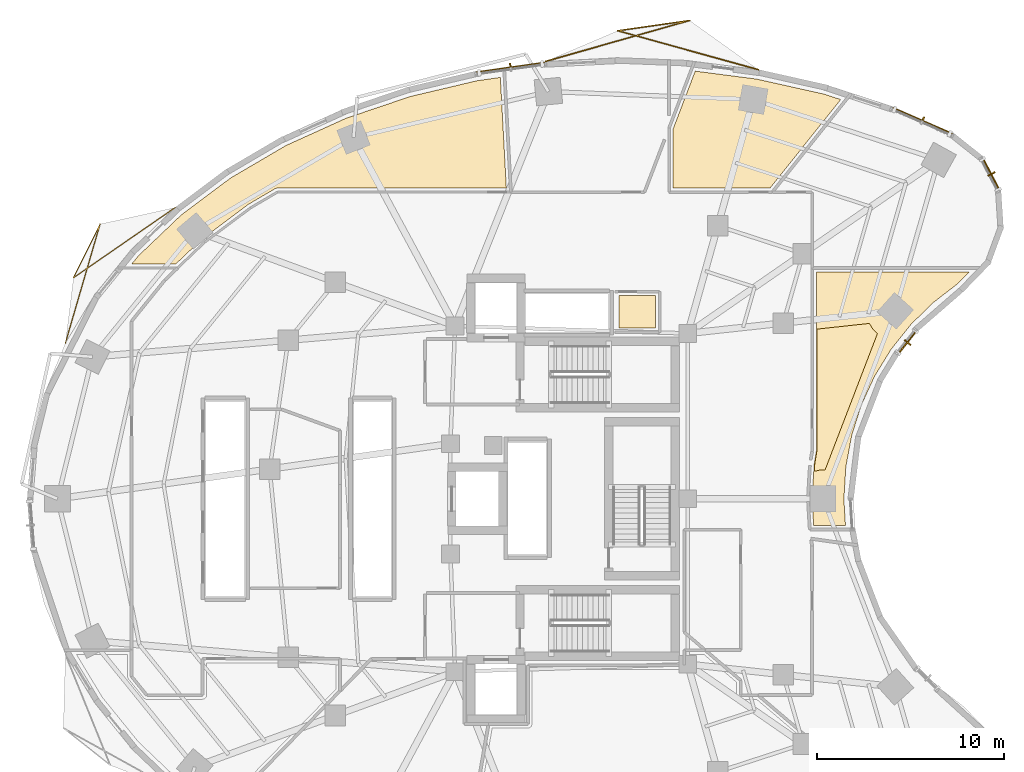
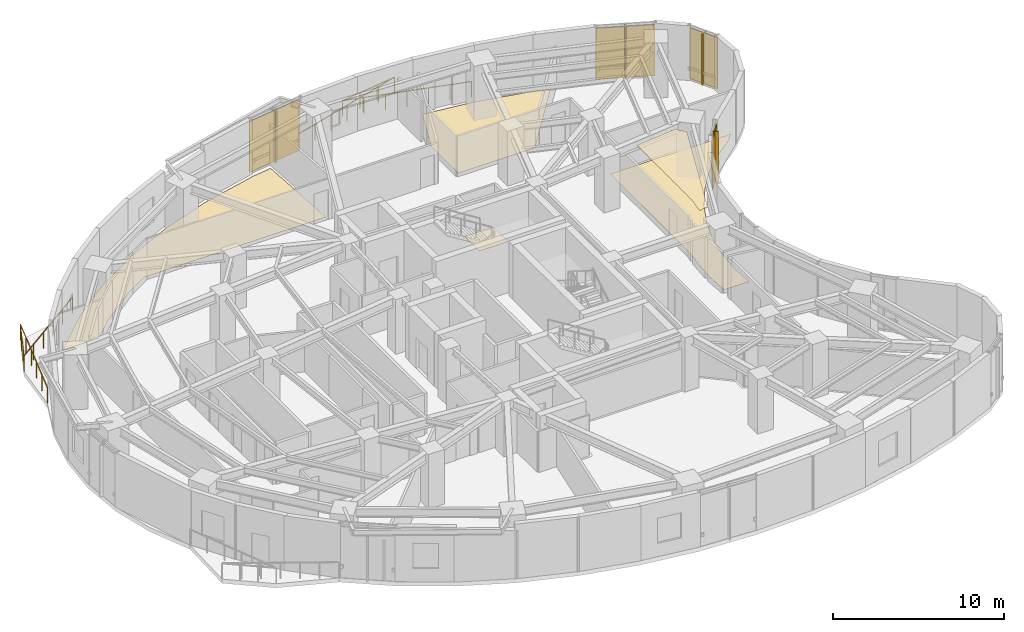
# One storey, part 14 of 14: 8 shading devices, 5 coverings, 2 railings.
"""IFC4 building model written with IfcOpenShell, lengths in metres."""

from ifc_helpers import new_model, si_unit, direction, frame, origin, origin_2d, place, context, subcontext, project, spatial, polyline, rectangle, outline, extrude, material, layer, layer_set, type_object, element, save


model = new_model("IFC4")

# Units and contexts
model_context = context("Model", 3, precision=1e-05, world=origin(), true_north=direction((0.0, 1.0)))
body_context = subcontext(model_context, "Body", "Model", "MODEL_VIEW")
ifc_project = project(units=[si_unit("LENGTHUNIT", "METRE"), si_unit("AREAUNIT", "SQUARE_METRE"), si_unit("VOLUMEUNIT", "CUBIC_METRE"), si_unit("PLANEANGLEUNIT", "RADIAN"), si_unit("MASSUNIT", "GRAM", prefix="KILO")], contexts=[model_context])

# Site, building, storey
site_placement = place(None, origin())
site = spatial("IfcSite", under=ifc_project, at=site_placement, CompositionType="ELEMENT")
building_placement = place(site_placement, origin())
building = spatial("IfcBuilding", under=site, at=building_placement, Name="Korentha Bioscience Tower", CompositionType="ELEMENT")
storey_placement = place(building_placement, frame((0.0, 0.0, 46.800048828125)))
storey = spatial("IfcBuildingStorey", under=building, at=storey_placement, Name="L10", CompositionType="ELEMENT", Elevation=46.800048828125)

# Covering
ifc_material_1 = material(Name="Vitrified Porcelain Tile", Category="ceramic")
ifc_layer_1 = layer(ifc_material_1, 0.014892578125, Name="Vitrified Porcelain Tile")
ifc_layer_set_1 = layer_set([ifc_layer_1], Name="Vitrified Porcelain Tile (FL-CER)")
covering_type_1 = type_object("IfcCoveringType", Name="Anti-Slip Ceramic Wet-Room Tile Flooring 15", PredefinedType="FLOORING", material=ifc_layer_set_1)
covering_1_placement = place(storey_placement, origin())
element("IfcCovering", 1, at=covering_1_placement, inside=storey, type_object=covering_type_1, Name="L10 Accessible Staff WC Floor Finish", PredefinedType="FLOORING", context=body_context, shape_type="SweptSolid", body=[
    extrude(outline(polyline([(33.8701171875, 36.1298828125), (33.8701171875, 37.8701171875), (35.830078125, 37.8701171875), (35.830078125, 36.1298828125), (33.8701171875, 36.1298828125)])), origin(), (0.0, 0.0, 1.0), 0.014892578125),
])

# Railings
ifc_material_2 = material(Name="Laminated Tempered Safety Glass", Category="glass")
railing_type = type_object("IfcRailingType", Name="Laminated Glass Balcony Guardrail 1150", PredefinedType="BALUSTRADE", material=ifc_material_2)
railing_1_placement = place(storey_placement, frame((41.33349609375, 49.9638671875, 0.0)))
element("IfcRailing", 2, at=railing_1_placement, inside=storey, type_object=railing_type, Name="L10 Balcony Guardrail 01", PredefinedType="BALUSTRADE", context=body_context, shape_type="SweptSolid", body=[
    extrude(rectangle(XDim=0.048095703125, YDim=0.048095703125, at=origin_2d()), frame((0.0, 0.0, 1.1259765625), z_axis=(-0.963705393493, 0.266968002864, 0.0), x_axis=(-0.266968002864, -0.963705393493, 0.0)), (0.0, 0.0, 1.0), 7.80712890625),
    extrude(rectangle(XDim=0.048095703125, YDim=0.048095703125, at=origin_2d()), frame((-7.523681640625, 2.084228515625, 1.1259765625), z_axis=(0.989867578194, 0.141993583099, 0.0), x_axis=(-0.141993583099, 0.989867578194, 0.0)), (0.0, 0.0, 1.0), 3.88232421875),
    extrude(rectangle(XDim=0.048095703125, YDim=0.048095703125, at=origin_2d()), frame((-3.6806640625, 2.635498046875, 1.1259765625), z_axis=(-0.961886221557, -0.27344998954, 0.0), x_axis=(0.27344998954, -0.961886221557, 0.0)), (0.0, 0.0, 1.0), 8.017578125),
    extrude(rectangle(XDim=0.0419921875, YDim=0.0419921875, at=origin_2d()), origin(), (0.0, 0.0, 1.0), 1.101806640625),
    extrude(rectangle(XDim=0.0419921875, YDim=0.0419921875, at=origin_2d()), frame((-1.25390625, 0.347412109375, 0.0)), (0.0, 0.0, 1.0), 1.101806640625),
    extrude(rectangle(XDim=0.0419921875, YDim=0.0419921875, at=origin_2d()), frame((-2.5078125, 0.69482421875, 0.0)), (0.0, 0.0, 1.0), 1.101806640625),
    extrude(rectangle(XDim=0.0419921875, YDim=0.0419921875, at=origin_2d()), frame((-3.76171875, 1.0419921875, 0.0)), (0.0, 0.0, 1.0), 1.101806640625),
    extrude(rectangle(XDim=0.0419921875, YDim=0.0419921875, at=origin_2d()), frame((-5.015869140625, 1.389404296875, 0.0)), (0.0, 0.0, 1.0), 1.101806640625),
    extrude(rectangle(XDim=0.0419921875, YDim=0.0419921875, at=origin_2d()), frame((-6.269775390625, 1.73681640625, 0.0)), (0.0, 0.0, 1.0), 1.101806640625),
    extrude(rectangle(XDim=0.0419921875, YDim=0.0419921875, at=origin_2d()), frame((-7.523681640625, 2.084228515625, 0.0)), (0.0, 0.0, 1.0), 1.101806640625),
    extrude(rectangle(XDim=0.0419921875, YDim=0.0419921875, at=origin_2d()), frame((-6.24267578125, 2.26806640625, 0.0)), (0.0, 0.0, 1.0), 1.101806640625),
    extrude(rectangle(XDim=0.0419921875, YDim=0.0419921875, at=origin_2d()), frame((-4.961669921875, 2.45166015625, 0.0)), (0.0, 0.0, 1.0), 1.101806640625),
    extrude(rectangle(XDim=0.0419921875, YDim=0.0419921875, at=origin_2d()), frame((-3.6806640625, 2.635498046875, 0.0)), (0.0, 0.0, 1.0), 1.101806640625),
    extrude(rectangle(XDim=0.0419921875, YDim=0.0419921875, at=origin_2d()), frame((-4.966064453125, 2.27001953125, 0.0)), (0.0, 0.0, 1.0), 1.101806640625),
    extrude(rectangle(XDim=0.0419921875, YDim=0.0419921875, at=origin_2d()), frame((-6.251220703125, 1.90478515625, 0.0)), (0.0, 0.0, 1.0), 1.101806640625),
    extrude(rectangle(XDim=0.0419921875, YDim=0.0419921875, at=origin_2d()), frame((-7.53662109375, 1.539306640625, 0.0)), (0.0, 0.0, 1.0), 1.101806640625),
    extrude(rectangle(XDim=0.0419921875, YDim=0.0419921875, at=origin_2d()), frame((-8.822021484375, 1.173828125, 0.0)), (0.0, 0.0, 1.0), 1.101806640625),
    extrude(rectangle(XDim=0.0419921875, YDim=0.0419921875, at=origin_2d()), frame((-10.107177734375, 0.80859375, 0.0)), (0.0, 0.0, 1.0), 1.101806640625),
    extrude(rectangle(XDim=0.0419921875, YDim=0.0419921875, at=origin_2d()), frame((-11.392578125, 0.443115234375, 0.0)), (0.0, 0.0, 1.0), 1.101806640625),
])
railing_2_placement = place(storey_placement, frame((10.1220703125, 42.58642578125, 0.0)))
element("IfcRailing", 3, at=railing_2_placement, inside=storey, type_object=railing_type, Name="L10 Balcony Guardrail 02", PredefinedType="BALUSTRADE", context=body_context, shape_type="SweptSolid", body=[
    extrude(rectangle(XDim=0.048095703125, YDim=0.048095703125, at=origin_2d()), frame((0.0, 0.0, 1.1259765625), z_axis=(-0.822966359842, -0.56809010779, 0.0), x_axis=(0.56809010779, -0.822966359842, 0.0)), (0.0, 0.0, 1.0), 6.6123046875),
    extrude(rectangle(XDim=0.048095703125, YDim=0.048095703125, at=origin_2d()), frame((-5.441650390625, -3.75634765625, 1.1259765625), z_axis=(0.444285864543, 0.895885076651, 0.0), x_axis=(-0.895885076651, 0.444285864543, 0.0)), (0.0, 0.0, 1.0), 3.204833984375),
    extrude(rectangle(XDim=0.048095703125, YDim=0.048095703125, at=origin_2d()), frame((-4.017822265625, -0.88525390625, 1.1259765625), z_axis=(-0.2799152519, -0.960024714137, 0.0), x_axis=(0.960024714137, -0.2799152519, 0.0)), (0.0, 0.0, 1.0), 6.637451171875),
    extrude(rectangle(XDim=0.0419921875, YDim=0.0419921875, at=origin_2d()), origin(), (0.0, 0.0, 1.0), 1.101806640625),
    extrude(rectangle(XDim=0.0419921875, YDim=0.0419921875, at=origin_2d()), frame((-1.08837890625, -0.751220703125, 0.0)), (0.0, 0.0, 1.0), 1.101806640625),
    extrude(rectangle(XDim=0.0419921875, YDim=0.0419921875, at=origin_2d()), frame((-2.1767578125, -1.50244140625, 0.0)), (0.0, 0.0, 1.0), 1.101806640625),
    extrude(rectangle(XDim=0.0419921875, YDim=0.0419921875, at=origin_2d()), frame((-3.264892578125, -2.25390625, 0.0)), (0.0, 0.0, 1.0), 1.101806640625),
    extrude(rectangle(XDim=0.0419921875, YDim=0.0419921875, at=origin_2d()), frame((-4.353271484375, -3.005126953125, 0.0)), (0.0, 0.0, 1.0), 1.101806640625),
    extrude(rectangle(XDim=0.0419921875, YDim=0.0419921875, at=origin_2d()), frame((-5.441650390625, -3.75634765625, 0.0)), (0.0, 0.0, 1.0), 1.101806640625),
    extrude(rectangle(XDim=0.0419921875, YDim=0.0419921875, at=origin_2d()), frame((-4.967041015625, -2.79931640625, 0.0)), (0.0, 0.0, 1.0), 1.101806640625),
    extrude(rectangle(XDim=0.0419921875, YDim=0.0419921875, at=origin_2d()), frame((-4.492431640625, -1.84228515625, 0.0)), (0.0, 0.0, 1.0), 1.101806640625),
    extrude(rectangle(XDim=0.0419921875, YDim=0.0419921875, at=origin_2d()), frame((-4.017822265625, -0.88525390625, 0.0)), (0.0, 0.0, 1.0), 1.101806640625),
    extrude(rectangle(XDim=0.0419921875, YDim=0.0419921875, at=origin_2d()), frame((-4.389404296875, -2.15966796875, 0.0)), (0.0, 0.0, 1.0), 1.101806640625),
    extrude(rectangle(XDim=0.0419921875, YDim=0.0419921875, at=origin_2d()), frame((-4.760986328125, -3.43408203125, 0.0)), (0.0, 0.0, 1.0), 1.101806640625),
    extrude(rectangle(XDim=0.0419921875, YDim=0.0419921875, at=origin_2d()), frame((-5.132568359375, -4.70849609375, 0.0)), (0.0, 0.0, 1.0), 1.101806640625),
    extrude(rectangle(XDim=0.0419921875, YDim=0.0419921875, at=origin_2d()), frame((-5.504150390625, -5.98291015625, 0.0)), (0.0, 0.0, 1.0), 1.101806640625),
    extrude(rectangle(XDim=0.0419921875, YDim=0.0419921875, at=origin_2d()), frame((-5.875732421875, -7.25732421875, 0.0)), (0.0, 0.0, 1.0), 1.101806640625),
])

# Covering
ifc_material_3 = material(Name="Antimicrobial Mineral Fibre Board", Category="gypsum")
ifc_layer_2 = layer(ifc_material_3, 0.034912109375, Name="Antimicrobial Mineral Fibre Board")
ifc_layer_set_2 = layer_set([ifc_layer_2], Name="Antimicrobial Mineral Fibre Board (CL-MF35)")
covering_type_2 = type_object("IfcCoveringType", Name="Mineral-Fibre Cleanroom Suspended Ceiling 35", PredefinedType="CEILING", material=ifc_layer_set_2)
covering_2_placement = place(storey_placement, frame((0.0, 0.0, 3.864990234375)))
element("IfcCovering", 4, at=covering_2_placement, inside=storey, type_object=covering_type_2, Name="L10 Engineered Bio-Foundry Wet Lab 06 Acoustic Ceiling", PredefinedType="CEILING", context=body_context, shape_type="SweptSolid", body=[
    extrude(outline(polyline([(44.350830078125, 28.88671875), (44.4599609375, 29.529541015625), (44.4599609375, 36.079833984375), (47.2685546875, 36.3857421875), (47.463623046875, 36.077392578125), (47.703125, 35.84423828125), (44.900390625, 28.544921875), (44.646728515625, 28.54248046875), (44.32177734375, 28.4736328125), (44.350830078125, 28.88671875)])), origin(), (0.0, 0.0, 1.0), 0.034912109375),
])

# Shading devices
ifc_material_4 = material(Name="Perforated Stone-Ceramic Composite", Category="masonry")
ifc_layer_3 = layer(ifc_material_4, 0.06494140625, Name="Perforated Stone-Ceramic Composite")
ifc_layer_set_3 = layer_set([ifc_layer_3], Name="Perforated Stone-Ceramic Composite (CS-01)")
shading_device_type_1 = type_object("IfcShadingDeviceType", Name="Perforated Stone-Ceramic Solar Screen Panel 65", PredefinedType="USERDEFINED", material=ifc_layer_set_3)
shading_device_1_placement = place(storey_placement, frame((50.113037109375, 47.231201171875, 0.0), z_axis=(0.0, 0.0, 1.0), x_axis=(-0.91593909057, 0.401317308828, 0.0)))
element("IfcShadingDevice", 5, at=shading_device_1_placement, inside=storey, type_object=shading_device_type_1, Name="CW-L10-01 Perforated Stone-Ceramic Solar Screen", ObjectType="SCREEN", PredefinedType="USERDEFINED", context=body_context, shape_type="SweptSolid", body=[
    extrude(rectangle(XDim=3.492431640625, YDim=0.06494140625, at=origin_2d()), origin(), (0.0, 0.0, 1.0), 3.64990234375),
])
shading_device_2_placement = place(storey_placement, frame((28.072509765625, 50.08251953125, 0.0), z_axis=(0.0, 0.0, 1.0), x_axis=(-0.990167372968, -0.139887717511, 0.0)))
element("IfcShadingDevice", 6, at=shading_device_2_placement, inside=storey, type_object=shading_device_type_1, Name="CW-L10-07 Perforated Stone-Ceramic Solar Screen", ObjectType="SCREEN", PredefinedType="USERDEFINED", context=body_context, shape_type="SweptSolid", body=[
    extrude(rectangle(XDim=3.69091796875, YDim=0.06494140625, at=origin_2d()), origin(), (0.0, 0.0, 1.0), 3.64990234375),
])
shading_device_3_placement = place(storey_placement, frame((49.3046875, 35.37255859375, 0.0), z_axis=(0.0, 0.0, 1.0), x_axis=(0.622520324648, 0.782603632371, 0.0)))
element("IfcShadingDevice", 7, at=shading_device_3_placement, inside=storey, type_object=shading_device_type_1, Name="CW-L10-55 Perforated Stone-Ceramic Solar Screen", ObjectType="SCREEN", PredefinedType="USERDEFINED", context=body_context, shape_type="SweptSolid", body=[
    extrude(rectangle(XDim=1.537841796875, YDim=0.06494140625, at=origin_2d()), origin(), (0.0, 0.0, 1.0), 3.64990234375),
])
shading_device_4_placement = place(storey_placement, frame((53.784912109375, 44.375732421875, 0.0), z_axis=(0.0, 0.0, 1.0), x_axis=(-0.463008597697, 0.886353788539, 0.0)))
element("IfcShadingDevice", 8, at=shading_device_4_placement, inside=storey, type_object=shading_device_type_1, Name="CW-L10-61 Perforated Stone-Ceramic Solar Screen", ObjectType="SCREEN", PredefinedType="USERDEFINED", context=body_context, shape_type="SweptSolid", body=[
    extrude(rectangle(XDim=1.927734375, YDim=0.06494140625, at=origin_2d()), origin(), (0.0, 0.0, 1.0), 3.64990234375),
])

# Coverings
ifc_material_5 = material(Name="Chemical-Resistant Epoxy Resin", Category="polymer")
ifc_layer_4 = layer(ifc_material_5, 0.011962890625, Name="Chemical-Resistant Epoxy Resin")
ifc_layer_set_4 = layer_set([ifc_layer_4], Name="Chemical-Resistant Epoxy Resin (FL-EPX)")
covering_type_3 = type_object("IfcCoveringType", Name="Seamless Epoxy Laboratory Flooring 12", PredefinedType="FLOORING", material=ifc_layer_set_4)
covering_3_placement = place(storey_placement, origin())
element("IfcCovering", 9, at=covering_3_placement, inside=storey, type_object=covering_type_3, Name="L10 Engineered Bio-Foundry Wet Lab 06 Floor Finish", PredefinedType="FLOORING", context=body_context, shape_type="SweptSolid", body=[
    extrude(outline(polyline([(46.01318359375, 28.720947265625), (45.90625, 26.982421875), (45.9921875, 25.572021484375), (44.288818359375, 25.572021484375), (44.2099609375, 26.861572265625), (44.2099609375, 27.138427734375), (44.321044921875, 28.889892578125), (44.429931640625, 29.529541015625), (44.429931640625, 39.1279296875), (52.593505859375, 39.1279296875), (51.98876953125, 38.5029296875), (50.677001953125, 37.49267578125), (49.494384765625, 36.330078125), (48.4345703125, 35.0009765625), (47.551025390625, 33.564453125), (46.83740234375, 32.00634765625), (46.325927734375, 30.392333984375), (46.01318359375, 28.720947265625)])), origin(), (0.0, 0.0, 1.0), 0.011962890625),
])
covering_4_placement = place(storey_placement, origin())
element("IfcCovering", 10, at=covering_4_placement, inside=storey, type_object=covering_type_3, Name="L10 Microfluidics Biochip Cleanroom 08 Floor Finish", PredefinedType="FLOORING", context=body_context, shape_type="SweptSolid", body=[
    extrude(outline(polyline([(45.73828125, 48.3662109375), (41.96240234375, 43.635986328125), (36.77197265625, 43.630126953125), (36.77197265625, 46.7998046875), (37.950927734375, 49.88720703125), (41.2451171875, 49.461181640625), (44.857177734375, 48.65283203125), (45.73828125, 48.3662109375)])), origin(), (0.0, 0.0, 1.0), 0.011962890625),
])
covering_5_placement = place(storey_placement, origin())
element("IfcCovering", 11, at=covering_5_placement, inside=storey, type_object=covering_type_3, Name="L10 Visiting Faculty Study Office 10 Floor Finish", PredefinedType="FLOORING", context=body_context, shape_type="SweptSolid", body=[
    extrude(outline(polyline([(8.15087890625, 40.001708984375), (10.451904296875, 42.1962890625), (13.09619140625, 44.173828125), (16.0458984375, 45.90478515625), (19.2587890625, 47.36279296875), (22.68701171875, 48.525390625), (26.28173828125, 49.375), (27.52392578125, 49.550537109375), (27.844482421875, 43.6298828125), (15.5537109375, 43.626953125), (15.474365234375, 43.598388671875), (14.0380859375, 42.7548828125), (11.5625, 40.904052734375), (10.16357421875, 39.572021484375), (7.802978515625, 39.572021484375), (8.15087890625, 40.001708984375)])), origin(), (0.0, 0.0, 1.0), 0.011962890625),
])

# Shading devices
ifc_material_6 = material(Name="Honed Travertine Limestone", Category="masonry")
ifc_layer_5 = layer(ifc_material_6, 0.080078125, Name="Honed Travertine Limestone")
ifc_layer_set_5 = layer_set([ifc_layer_5], Name="Honed Travertine Limestone (CS-02)")
shading_device_type_2 = type_object("IfcShadingDeviceType", Name="Vertical Honed Limestone Sunshade Fin 80x420", PredefinedType="USERDEFINED", material=ifc_layer_set_5)
for number, where, z_axis, x_axis, name in (
    (12, (50.12109375, 47.24951171875, 0.0), (0.0, 0.0, 1.0), (-0.91593909057, 0.401317308828, 0.0), "CW-L10-01 Limestone Sunshade Fin"),
    (13, (28.06982421875, 50.102294921875, 0.0), (0.0, 0.0, 1.0), (-0.990167372968, -0.139887717511, 0.0), "CW-L10-07 Limestone Sunshade Fin"),
    (14, (49.3203125, 35.360107421875, 0.0), (0.0, 0.0, 1.0), (0.622520324648, 0.782603632371, 0.0), "CW-L10-55 Limestone Sunshade Fin"),
    (15, (53.802490234375, 44.385009765625, 0.0), (0.0, 0.0, 1.0), (-0.463008597697, 0.886353788539, 0.0), "CW-L10-61 Limestone Sunshade Fin"),
):
    element("IfcShadingDevice", number, at=place(storey_placement, frame(where, z_axis=z_axis, x_axis=x_axis)), inside=storey, type_object=shading_device_type_2, Name=name, ObjectType="SCREEN", PredefinedType="USERDEFINED", context=body_context, shape_type="SweptSolid", body=[
        extrude(rectangle(XDim=0.080078125, YDim=0.419921875, at=origin_2d()), origin(), (0.0, 0.0, 1.0), 3.64990234375),
    ])

save(model, "model.ifc")
